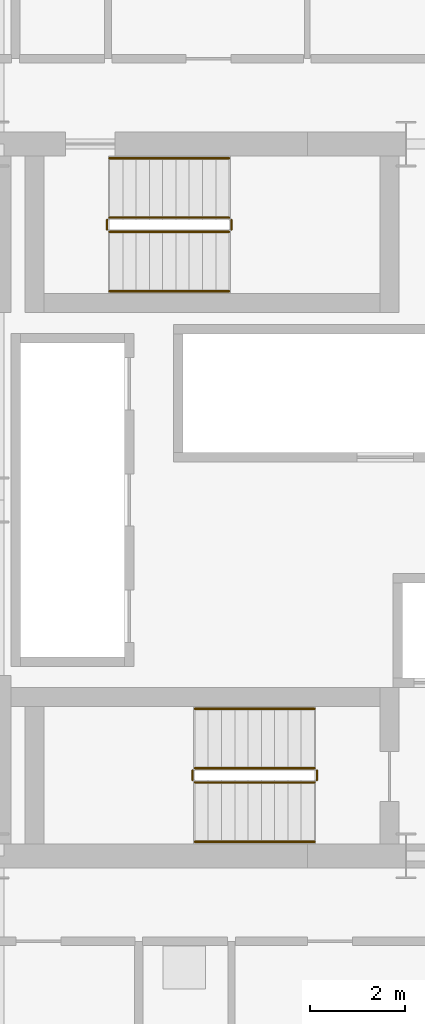
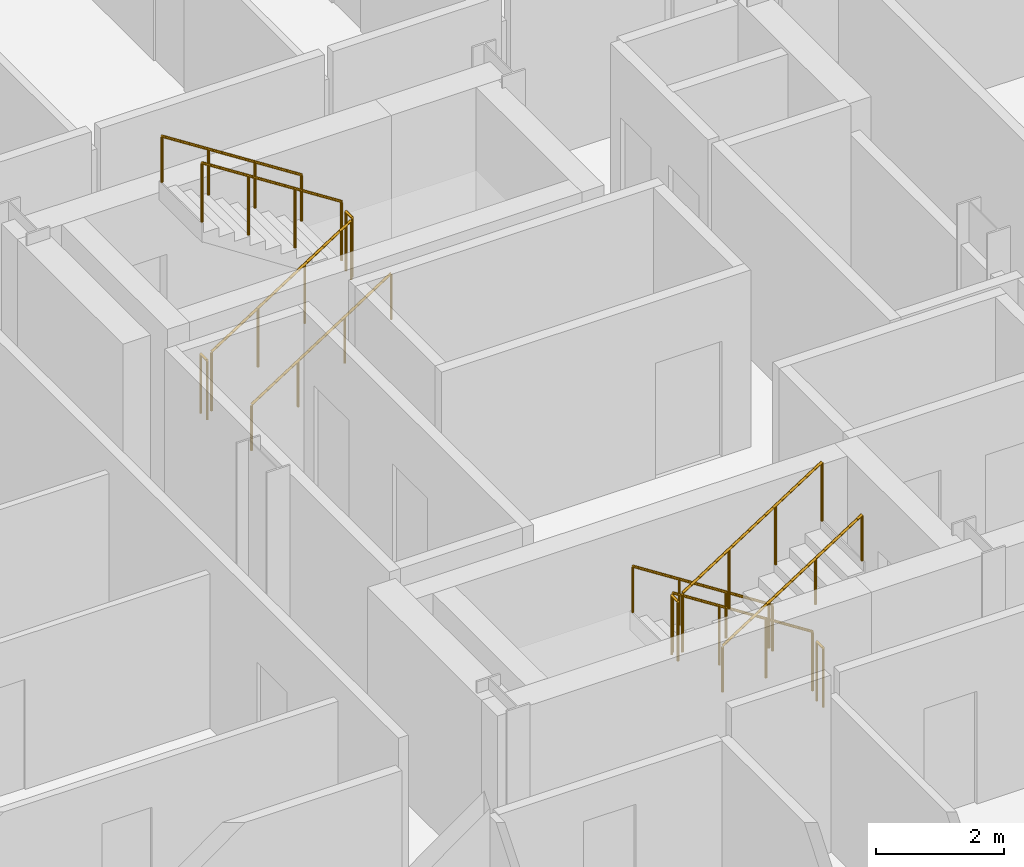
# One storey, part 23 of 24: 12 railings.
"""IFC4 building model written with IfcOpenShell, lengths in metres."""

from ifc_helpers import new_model, si_unit, direction, frame, origin, origin_2d, place, context, subcontext, project, spatial, circle, extrude, material, type_object, element, save


model = new_model("IFC4")

# Units and contexts
model_context = context("Model", 3, precision=1e-05, world=origin(), true_north=direction((0.0, 1.0)))
body_context = subcontext(model_context, "Body", "Model", "MODEL_VIEW")
ifc_project = project(units=[si_unit("LENGTHUNIT", "METRE"), si_unit("AREAUNIT", "SQUARE_METRE"), si_unit("VOLUMEUNIT", "CUBIC_METRE"), si_unit("PLANEANGLEUNIT", "RADIAN"), si_unit("MASSUNIT", "GRAM", prefix="KILO")], contexts=[model_context])

# Site, building, storey
site_placement = place(None, origin())
site = spatial("IfcSite", under=ifc_project, at=site_placement, CompositionType="ELEMENT")
building_placement = place(site_placement, origin())
building = spatial("IfcBuilding", under=site, at=building_placement, Name="Barlavira Tower and Art Museum", CompositionType="ELEMENT")
storey_placement = place(building_placement, frame((0.0, 0.0, 43.199951171875)))
storey = spatial("IfcBuildingStorey", under=building, at=storey_placement, Name="L09", CompositionType="ELEMENT", Elevation=43.199951171875)

# Railings
ifc_material = material(Name="Brushed stainless steel", Category="steel")
railing_type_1 = type_object("IfcRailingType", Name="Interior Void and Landing Guard Railing 1150", PredefinedType="GUARDRAIL", material=ifc_material)
railing_1_placement = place(storey_placement, frame((0.14990234375, -5.64990234375, 0.179931640625)))
element("IfcRailing", 1, at=railing_1_placement, inside=storey, type_object=railing_type_1, Name="L09 ST-T1 stair guard 1", PredefinedType="GUARDRAIL", context=body_context, shape_type="SweptSolid", body=[
    extrude(circle(Radius=0.02392578125, at=origin_2d()), frame((0.0, 0.0, 1.1259765625), z_axis=(-0.841162588446, 0.0, 0.540782303519), x_axis=(0.0, -1.0, 0.0)), (0.0, 0.0, 1.0), 2.995849609375),
    extrude(circle(Radius=0.02099609375, at=origin_2d()), origin(), (0.0, 0.0, 1.0), 1.101806640625),
    extrude(circle(Radius=0.02099609375, at=origin_2d()), frame((-0.840087890625, 0.0, 0.5400390625)), (0.0, 0.0, 1.0), 1.101806640625),
    extrude(circle(Radius=0.02099609375, at=origin_2d()), frame((-1.679931640625, 0.0, 1.080078125)), (0.0, 0.0, 1.0), 1.101806640625),
    extrude(circle(Radius=0.02099609375, at=origin_2d()), frame((-2.52001953125, 0.0, 1.6201171875)), (0.0, 0.0, 1.0), 1.101806640625),
])
railing_2_placement = place(storey_placement, frame((-2.419921875, -5.699951171875, 1.800048828125)))
element("IfcRailing", 2, at=railing_2_placement, inside=storey, type_object=railing_type_1, Name="L09 ST-T1 stair guard 2", PredefinedType="GUARDRAIL", context=body_context, shape_type="SweptSolid", body=[
    extrude(circle(Radius=0.02392578125, at=origin_2d()), frame((0.0, 0.0, 1.1259765625), z_axis=(0.0, -1.0, 0.0), x_axis=(1.0, 0.0, 0.0)), (0.0, 0.0, 1.0), 0.199951171875),
    extrude(circle(Radius=0.02099609375, at=origin_2d()), origin(), (0.0, 0.0, 1.0), 1.101806640625),
    extrude(circle(Radius=0.02099609375, at=origin_2d()), frame((0.0, -0.199951171875, 0.0)), (0.0, 0.0, 1.0), 1.101806640625),
])
railing_3_placement = place(storey_placement, frame((-2.3701171875, -5.949951171875, 1.97998046875)))
element("IfcRailing", 3, at=railing_3_placement, inside=storey, type_object=railing_type_1, Name="L09 ST-T1 stair guard 3", PredefinedType="GUARDRAIL", context=body_context, shape_type="SweptSolid", body=[
    extrude(circle(Radius=0.02392578125, at=origin_2d()), frame((0.0, 0.0, 1.1259765625), z_axis=(0.841162588446, 0.0, 0.540782303519), x_axis=(0.0, 1.0, 0.0)), (0.0, 0.0, 1.0), 2.995849609375),
    extrude(circle(Radius=0.02099609375, at=origin_2d()), origin(), (0.0, 0.0, 1.0), 1.101806640625),
    extrude(circle(Radius=0.02099609375, at=origin_2d()), frame((0.840087890625, 0.0, 0.5400390625)), (0.0, 0.0, 1.0), 1.101806640625),
    extrude(circle(Radius=0.02099609375, at=origin_2d()), frame((1.679931640625, 0.0, 1.080078125)), (0.0, 0.0, 1.0), 1.101806640625),
    extrude(circle(Radius=0.02099609375, at=origin_2d()), frame((2.52001953125, 0.0, 1.6201171875)), (0.0, 0.0, 1.0), 1.101806640625),
])
railing_4_placement = place(storey_placement, frame((0.199951171875, -5.699951171875, 0.0)))
element("IfcRailing", 4, at=railing_4_placement, inside=storey, type_object=railing_type_1, Name="L09 ST-T1 stair guard 4", PredefinedType="GUARDRAIL", context=body_context, shape_type="SweptSolid", body=[
    extrude(circle(Radius=0.02392578125, at=origin_2d()), frame((0.0, 0.0, 1.1259765625), z_axis=(0.0, -1.0, 0.0), x_axis=(1.0, 0.0, 0.0)), (0.0, 0.0, 1.0), 0.199951171875),
    extrude(circle(Radius=0.02099609375, at=origin_2d()), origin(), (0.0, 0.0, 1.0), 1.101806640625),
    extrude(circle(Radius=0.02099609375, at=origin_2d()), frame((0.0, -0.199951171875, 0.0)), (0.0, 0.0, 1.0), 1.101806640625),
])
railing_5_placement = place(storey_placement, frame((-4.169921875, 5.64990234375, 0.179931640625)))
element("IfcRailing", 5, at=railing_5_placement, inside=storey, type_object=railing_type_1, Name="L09 ST-T2 stair guard 1", PredefinedType="GUARDRAIL", context=body_context, shape_type="SweptSolid", body=[
    extrude(circle(Radius=0.02392578125, at=origin_2d()), frame((0.0, 0.0, 1.1259765625), z_axis=(0.841162588446, 0.0, 0.540782303519), x_axis=(0.0, 1.0, 0.0)), (0.0, 0.0, 1.0), 2.995849609375),
    extrude(circle(Radius=0.02099609375, at=origin_2d()), origin(), (0.0, 0.0, 1.0), 1.101806640625),
    extrude(circle(Radius=0.02099609375, at=origin_2d()), frame((0.840087890625, 0.0, 0.5400390625)), (0.0, 0.0, 1.0), 1.101806640625),
    extrude(circle(Radius=0.02099609375, at=origin_2d()), frame((1.679931640625, 0.0, 1.080078125)), (0.0, 0.0, 1.0), 1.101806640625),
    extrude(circle(Radius=0.02099609375, at=origin_2d()), frame((2.52001953125, 0.0, 1.6201171875)), (0.0, 0.0, 1.0), 1.101806640625),
])
railing_6_placement = place(storey_placement, frame((-1.60009765625, 5.699951171875, 1.800048828125)))
element("IfcRailing", 6, at=railing_6_placement, inside=storey, type_object=railing_type_1, Name="L09 ST-T2 stair guard 2", PredefinedType="GUARDRAIL", context=body_context, shape_type="SweptSolid", body=[
    extrude(circle(Radius=0.02392578125, at=origin_2d()), frame((0.0, 0.0, 1.1259765625), z_axis=(0.0, 1.0, 0.0), x_axis=(-1.0, 0.0, 0.0)), (0.0, 0.0, 1.0), 0.199951171875),
    extrude(circle(Radius=0.02099609375, at=origin_2d()), origin(), (0.0, 0.0, 1.0), 1.101806640625),
    extrude(circle(Radius=0.02099609375, at=origin_2d()), frame((0.0, 0.199951171875, 0.0)), (0.0, 0.0, 1.0), 1.101806640625),
])
railing_7_placement = place(storey_placement, frame((-1.64990234375, 5.949951171875, 1.97998046875)))
element("IfcRailing", 7, at=railing_7_placement, inside=storey, type_object=railing_type_1, Name="L09 ST-T2 stair guard 3", PredefinedType="GUARDRAIL", context=body_context, shape_type="SweptSolid", body=[
    extrude(circle(Radius=0.02392578125, at=origin_2d()), frame((0.0, 0.0, 1.1259765625), z_axis=(-0.841162588446, 0.0, 0.540782303519), x_axis=(0.0, -1.0, 0.0)), (0.0, 0.0, 1.0), 2.995849609375),
    extrude(circle(Radius=0.02099609375, at=origin_2d()), origin(), (0.0, 0.0, 1.0), 1.101806640625),
    extrude(circle(Radius=0.02099609375, at=origin_2d()), frame((-0.840087890625, 0.0, 0.5400390625)), (0.0, 0.0, 1.0), 1.101806640625),
    extrude(circle(Radius=0.02099609375, at=origin_2d()), frame((-1.679931640625, 0.0, 1.080078125)), (0.0, 0.0, 1.0), 1.101806640625),
    extrude(circle(Radius=0.02099609375, at=origin_2d()), frame((-2.52001953125, 0.0, 1.6201171875)), (0.0, 0.0, 1.0), 1.101806640625),
])
railing_8_placement = place(storey_placement, frame((-4.219970703125, 5.699951171875, 0.0)))
element("IfcRailing", 8, at=railing_8_placement, inside=storey, type_object=railing_type_1, Name="L09 ST-T2 stair guard 4", PredefinedType="GUARDRAIL", context=body_context, shape_type="SweptSolid", body=[
    extrude(circle(Radius=0.02392578125, at=origin_2d()), frame((0.0, 0.0, 1.1259765625), z_axis=(0.0, 1.0, 0.0), x_axis=(-1.0, 0.0, 0.0)), (0.0, 0.0, 1.0), 0.199951171875),
    extrude(circle(Radius=0.02099609375, at=origin_2d()), origin(), (0.0, 0.0, 1.0), 1.101806640625),
    extrude(circle(Radius=0.02099609375, at=origin_2d()), frame((0.0, 0.199951171875, 0.0)), (0.0, 0.0, 1.0), 1.101806640625),
])
railing_type_2 = type_object("IfcRailingType", Name="Stair Pitch Tubular Steel Handrail 920", PredefinedType="HANDRAIL", material=ifc_material)
railing_9_placement = place(storey_placement, frame((0.14990234375, -4.39990234375, 0.179931640625)))
element("IfcRailing", 9, at=railing_9_placement, inside=storey, type_object=railing_type_2, Name="L09 ST-T1 stair handrail 1", PredefinedType="HANDRAIL", context=body_context, shape_type="SweptSolid", body=[
    extrude(circle(Radius=0.02392578125, at=origin_2d()), frame((0.0, 0.0, 0.8759765625), z_axis=(-0.841162588446, 0.0, 0.540782303519), x_axis=(0.0, -1.0, 0.0)), (0.0, 0.0, 1.0), 2.995849609375),
    extrude(circle(Radius=0.02099609375, at=origin_2d()), origin(), (0.0, 0.0, 1.0), 0.851806640625),
    extrude(circle(Radius=0.02099609375, at=origin_2d()), frame((-0.840087890625, 0.0, 0.5400390625)), (0.0, 0.0, 1.0), 0.851806640625),
    extrude(circle(Radius=0.02099609375, at=origin_2d()), frame((-1.679931640625, 0.0, 1.080078125)), (0.0, 0.0, 1.0), 0.851806640625),
    extrude(circle(Radius=0.02099609375, at=origin_2d()), frame((-2.52001953125, 0.0, 1.6201171875)), (0.0, 0.0, 1.0), 0.851806640625),
])
for number, where, name in (
    (10, (-2.3701171875, -7.199951171875, 1.97998046875), "L09 ST-T1 stair handrail 2"),
    (11, (-4.169921875, 4.39990234375, 0.179931640625), "L09 ST-T2 stair handrail 1"),
):
    element("IfcRailing", number, at=place(storey_placement, frame(where)), inside=storey, type_object=railing_type_2, Name=name, PredefinedType="HANDRAIL", context=body_context, shape_type="SweptSolid", body=[
        extrude(circle(Radius=0.02392578125, at=origin_2d()), frame((0.0, 0.0, 0.8759765625), z_axis=(0.841162588446, 0.0, 0.540782303519), x_axis=(0.0, 1.0, 0.0)), (0.0, 0.0, 1.0), 2.995849609375),
        extrude(circle(Radius=0.02099609375, at=origin_2d()), origin(), (0.0, 0.0, 1.0), 0.851806640625),
        extrude(circle(Radius=0.02099609375, at=origin_2d()), frame((0.840087890625, 0.0, 0.5400390625)), (0.0, 0.0, 1.0), 0.851806640625),
        extrude(circle(Radius=0.02099609375, at=origin_2d()), frame((1.679931640625, 0.0, 1.080078125)), (0.0, 0.0, 1.0), 0.851806640625),
        extrude(circle(Radius=0.02099609375, at=origin_2d()), frame((2.52001953125, 0.0, 1.6201171875)), (0.0, 0.0, 1.0), 0.851806640625),
    ])
railing_10_placement = place(storey_placement, frame((-1.64990234375, 7.199951171875, 1.97998046875)))
element("IfcRailing", 12, at=railing_10_placement, inside=storey, type_object=railing_type_2, Name="L09 ST-T2 stair handrail 2", PredefinedType="HANDRAIL", context=body_context, shape_type="SweptSolid", body=[
    extrude(circle(Radius=0.02392578125, at=origin_2d()), frame((0.0, 0.0, 0.8759765625), z_axis=(-0.841162588446, 0.0, 0.540782303519), x_axis=(0.0, -1.0, 0.0)), (0.0, 0.0, 1.0), 2.995849609375),
    extrude(circle(Radius=0.02099609375, at=origin_2d()), origin(), (0.0, 0.0, 1.0), 0.851806640625),
    extrude(circle(Radius=0.02099609375, at=origin_2d()), frame((-0.840087890625, 0.0, 0.5400390625)), (0.0, 0.0, 1.0), 0.851806640625),
    extrude(circle(Radius=0.02099609375, at=origin_2d()), frame((-1.679931640625, 0.0, 1.080078125)), (0.0, 0.0, 1.0), 0.851806640625),
    extrude(circle(Radius=0.02099609375, at=origin_2d()), frame((-2.52001953125, 0.0, 1.6201171875)), (0.0, 0.0, 1.0), 0.851806640625),
])

save(model, "model.ifc")
